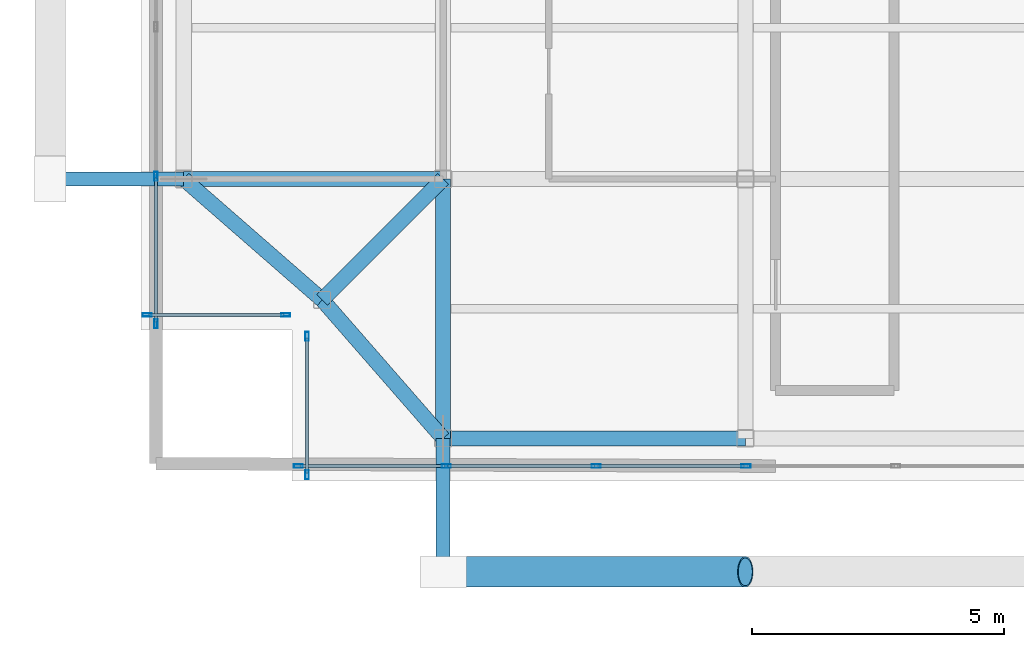
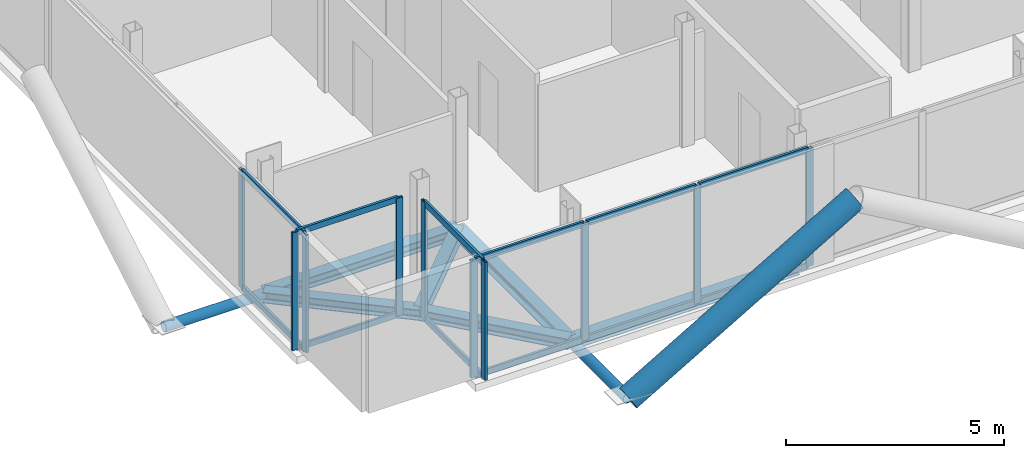
# One storey, part 2 of 19: 25 members, 6 beams, 4 elements without a shape of their own.
"""IFC4 building model written with IfcOpenShell, lengths in metres."""

from ifc_helpers import new_model, si_unit, direction, frame, origin, origin_2d, place, context, subcontext, project, spatial, hollow_rectangle, hollow_circle, i_section, extrude, material, layer, layer_set, material_profile, profile_set, type_object, element, aggregate, save


model = new_model("IFC4")

# Units and contexts
model_context = context("Model", 3, precision=1e-05, world=origin(), true_north=direction((0.0, 1.0)))
body_context = subcontext(model_context, "Body", "Model", "MODEL_VIEW")
ifc_project = project(units=[si_unit("LENGTHUNIT", "METRE"), si_unit("AREAUNIT", "SQUARE_METRE"), si_unit("VOLUMEUNIT", "CUBIC_METRE"), si_unit("PLANEANGLEUNIT", "RADIAN"), si_unit("MASSUNIT", "GRAM", prefix="KILO"), si_unit("THERMODYNAMICTEMPERATUREUNIT", "KELVIN"), si_unit("POWERUNIT", "WATT")], contexts=[model_context])

# Site, building, storey
site_placement = place(None, origin())
site = spatial("IfcSite", under=ifc_project, at=site_placement, CompositionType="ELEMENT")
building_placement = place(site_placement, origin())
building = spatial("IfcBuilding", under=site, at=building_placement, Name="Svarakhadi Broadcast Tower", CompositionType="ELEMENT")
storey_placement = place(building_placement, frame((0.0, 0.0, 243.199951171875)))
storey = spatial("IfcBuildingStorey", under=building, at=storey_placement, Name="L60", CompositionType="ELEMENT", Elevation=243.199951171875)

# Curtain wall, members
ifc_material_1 = material(Name="Anodised Bronze Aluminium AA 6063-T6", Category="aluminium")
ifc_layer = layer(ifc_material_1, 0.179931640625)
ifc_layer_set = layer_set([ifc_layer], Name="Anodised Bronze Aluminium AA 6063-T6")
curtain_wall_type = type_object("IfcCurtainWallType", Name="CW_Sys_05", PredefinedType="NOTDEFINED", material=ifc_layer_set)
curtain_wall_1_placement = place(storey_placement, origin())
curtain_wall_1 = element("IfcCurtainWall", 1, at=curtain_wall_1_placement, inside=storey, type_object=curtain_wall_type, Name="L60 Unitised Facade Curtain Wall 01", PredefinedType="NOTDEFINED")
ifc_material_profile_1 = material_profile(ifc_material_1, hollow_rectangle(XDim=0.070068359375, YDim=0.179931640625, WallThickness=0.005615234375, at=origin_2d()), Name="ALU MULLION 180x70x6")
ifc_profile_set_1 = profile_set([ifc_material_profile_1], Name="Anodised Bronze Aluminium AA 6063-T6")
member_type_1 = type_object("IfcMemberType", Name="CW_Sys_05_Mul", PredefinedType="MULLION", material=ifc_profile_set_1)
member_1_placement = place(storey_placement, frame((2.875, 3.300048828125, 0.0), z_axis=(0.0, 0.0, 1.0), x_axis=(0.0, -1.0, 0.0)))
member_1 = element("IfcMember", 2, at=member_1_placement, type_object=member_type_1, Name="CW-05 mullion 1", PredefinedType="MULLION", context=body_context, shape_type="SweptSolid", body=[
    extrude(hollow_rectangle(XDim=0.070068359375, YDim=0.179931640625, WallThickness=0.005615234375, at=origin_2d()), origin(), (0.0, 0.0, 1.0), 3.300048828125),
])
member_2_placement = place(storey_placement, frame((0.125, 3.300048828125, 0.0), z_axis=(0.0, 0.0, 1.0), x_axis=(0.0, -1.0, 0.0)))
member_2 = element("IfcMember", 3, at=member_2_placement, type_object=member_type_1, Name="CW-05 mullion 2", PredefinedType="MULLION", context=body_context, shape_type="SweptSolid", body=[
    extrude(hollow_rectangle(XDim=0.070068359375, YDim=0.179931640625, WallThickness=0.005615234375, at=origin_2d()), origin(), (0.0, 0.0, 1.0), 3.300048828125),
])

curtain_wall_2_placement = place(storey_placement, origin())
curtain_wall_2 = element("IfcCurtainWall", 4, at=curtain_wall_2_placement, inside=storey, type_object=curtain_wall_type, Name="L60 West Curtain Wall 02", PredefinedType="NOTDEFINED")
member_3_placement = place(storey_placement, frame((0.300048828125, 3.125, 0.0), z_axis=(0.0, 0.0, 1.0), x_axis=(-1.0, 0.0, 0.0)))
member_3 = element("IfcMember", 5, at=member_3_placement, type_object=member_type_1, Name="CW-05 mullion 1", PredefinedType="MULLION", context=body_context, shape_type="SweptSolid", body=[
    extrude(hollow_rectangle(XDim=0.070068359375, YDim=0.179931640625, WallThickness=0.005615234375, at=origin_2d()), origin(), (0.0, 0.0, 1.0), 3.300048828125),
])
member_4_placement = place(storey_placement, frame((0.300048828125, 6.053955078125, 0.0), z_axis=(0.0, 0.0, 1.0), x_axis=(-1.0, 0.0, 0.0)))
member_4 = element("IfcMember", 6, at=member_4_placement, type_object=member_type_1, Name="CW-05 mullion 2", PredefinedType="MULLION", context=body_context, shape_type="SweptSolid", body=[
    extrude(hollow_rectangle(XDim=0.070068359375, YDim=0.179931640625, WallThickness=0.005615234375, at=origin_2d()), origin(), (0.0, 0.0, 1.0), 3.300048828125),
])

curtain_wall_3_placement = place(storey_placement, origin())
curtain_wall_3 = element("IfcCurtainWall", 7, at=curtain_wall_3_placement, inside=storey, type_object=curtain_wall_type, Name="L60 South Curtain Wall 15", PredefinedType="NOTDEFINED")
member_5_placement = place(storey_placement, frame((12.012939453125, 0.300048828125, 0.0), z_axis=(0.0, 0.0, 1.0), x_axis=(0.0, -1.0, 0.0)))
member_5 = element("IfcMember", 8, at=member_5_placement, type_object=member_type_1, Name="CW-05 mullion 5", PredefinedType="MULLION", context=body_context, shape_type="SweptSolid", body=[
    extrude(hollow_rectangle(XDim=0.070068359375, YDim=0.179931640625, WallThickness=0.005615234375, at=origin_2d()), origin(), (0.0, 0.0, 1.0), 3.300048828125),
])
member_6_placement = place(storey_placement, frame((9.03857421875, 0.300048828125, 0.0), z_axis=(0.0, 0.0, 1.0), x_axis=(0.0, -1.0, 0.0)))
member_6 = element("IfcMember", 9, at=member_6_placement, type_object=member_type_1, Name="CW-05 mullion 6", PredefinedType="MULLION", context=body_context, shape_type="SweptSolid", body=[
    extrude(hollow_rectangle(XDim=0.070068359375, YDim=0.179931640625, WallThickness=0.005615234375, at=origin_2d()), origin(), (0.0, 0.0, 1.0), 3.300048828125),
])
member_7_placement = place(storey_placement, frame((6.064208984375, 0.300048828125, 0.0), z_axis=(0.0, 0.0, 1.0), x_axis=(0.0, -1.0, 0.0)))
member_7 = element("IfcMember", 10, at=member_7_placement, type_object=member_type_1, Name="CW-05 mullion 7", PredefinedType="MULLION", context=body_context, shape_type="SweptSolid", body=[
    extrude(hollow_rectangle(XDim=0.070068359375, YDim=0.179931640625, WallThickness=0.005615234375, at=origin_2d()), origin(), (0.0, 0.0, 1.0), 3.300048828125),
])
member_8_placement = place(storey_placement, frame((3.125, 0.300048828125, 0.0), z_axis=(0.0, 0.0, 1.0), x_axis=(0.0, -1.0, 0.0)))
member_8 = element("IfcMember", 11, at=member_8_placement, type_object=member_type_1, Name="CW-05 mullion 8", PredefinedType="MULLION", context=body_context, shape_type="SweptSolid", body=[
    extrude(hollow_rectangle(XDim=0.070068359375, YDim=0.179931640625, WallThickness=0.005615234375, at=origin_2d()), origin(), (0.0, 0.0, 1.0), 3.300048828125),
])

curtain_wall_4_placement = place(storey_placement, origin())
curtain_wall_4 = element("IfcCurtainWall", 12, at=curtain_wall_4_placement, inside=storey, type_object=curtain_wall_type, Name="L60 Unitised Facade Curtain Wall 16", PredefinedType="NOTDEFINED")
member_9_placement = place(storey_placement, frame((3.300048828125, 0.125, 0.0), z_axis=(0.0, 0.0, 1.0), x_axis=(-1.0, 0.0, 0.0)))
member_9 = element("IfcMember", 13, at=member_9_placement, type_object=member_type_1, Name="CW-05 mullion 1", PredefinedType="MULLION", context=body_context, shape_type="SweptSolid", body=[
    extrude(hollow_rectangle(XDim=0.070068359375, YDim=0.179931640625, WallThickness=0.005615234375, at=origin_2d()), origin(), (0.0, 0.0, 1.0), 3.300048828125),
])
member_10_placement = place(storey_placement, frame((3.300048828125, 2.875, 0.0), z_axis=(0.0, 0.0, 1.0), x_axis=(-1.0, 0.0, 0.0)))
member_10 = element("IfcMember", 14, at=member_10_placement, type_object=member_type_1, Name="CW-05 mullion 2", PredefinedType="MULLION", context=body_context, shape_type="SweptSolid", body=[
    extrude(hollow_rectangle(XDim=0.070068359375, YDim=0.179931640625, WallThickness=0.005615234375, at=origin_2d()), origin(), (0.0, 0.0, 1.0), 3.300048828125),
])

# Member
ifc_material_profile_2 = material_profile(ifc_material_1, hollow_rectangle(XDim=0.06494140625, YDim=0.1650390625, WallThickness=0.0048828125, at=origin_2d()), Name="ALU TRANSOM 165x65x5")
ifc_profile_set_2 = profile_set([ifc_material_profile_2], Name="Anodised Bronze Aluminium AA 6063-T6")
member_type_2 = type_object("IfcMemberType", Name="CW_Sys_05_Trn", PredefinedType="USERDEFINED", material=ifc_profile_set_2)
member_11_placement = place(storey_placement, frame((2.840087890625, 3.300048828125, 0.032470703125), z_axis=(-1.0, 0.0, 0.0), x_axis=(0.0, -1.0, 0.0)))
member_11 = element("IfcMember", 15, at=member_11_placement, type_object=member_type_2, Name="CW-05 transom 1.1", ObjectType="TRANSOM", PredefinedType="USERDEFINED", context=body_context, shape_type="SweptSolid", body=[
    extrude(hollow_rectangle(XDim=0.06494140625, YDim=0.1650390625, WallThickness=0.0048828125, at=origin_2d()), origin(), (0.0, 0.0, 1.0), 2.68017578125),
])

member_12_placement = place(storey_placement, frame((2.840087890625, 3.300048828125, 3.267578125), z_axis=(-1.0, 0.0, 0.0), x_axis=(0.0, -1.0, 0.0)))
member_12 = element("IfcMember", 16, at=member_12_placement, type_object=member_type_2, Name="CW-05 transom 1.2", ObjectType="TRANSOM", PredefinedType="USERDEFINED", context=body_context, shape_type="SweptSolid", body=[
    extrude(hollow_rectangle(XDim=0.06494140625, YDim=0.1650390625, WallThickness=0.0048828125, at=origin_2d()), origin(), (0.0, 0.0, 1.0), 2.68017578125),
])

aggregate(curtain_wall_1, [member_1, member_2, member_11, member_12])

member_13_placement = place(storey_placement, frame((0.300048828125, 3.159912109375, 0.032470703125), z_axis=(0.0, 1.0, 0.0), x_axis=(-1.0, 0.0, 0.0)))
member_13 = element("IfcMember", 17, at=member_13_placement, type_object=member_type_2, Name="CW-05 transom 1.1", ObjectType="TRANSOM", PredefinedType="USERDEFINED", context=body_context, shape_type="SweptSolid", body=[
    extrude(hollow_rectangle(XDim=0.06494140625, YDim=0.1650390625, WallThickness=0.0048828125, at=origin_2d()), origin(), (0.0, 0.0, 1.0), 2.859130859375),
])

member_14_placement = place(storey_placement, frame((0.300048828125, 3.159912109375, 3.267578125), z_axis=(0.0, 1.0, 0.0), x_axis=(-1.0, 0.0, 0.0)))
member_14 = element("IfcMember", 18, at=member_14_placement, type_object=member_type_2, Name="CW-05 transom 1.2", ObjectType="TRANSOM", PredefinedType="USERDEFINED", context=body_context, shape_type="SweptSolid", body=[
    extrude(hollow_rectangle(XDim=0.06494140625, YDim=0.1650390625, WallThickness=0.0048828125, at=origin_2d()), origin(), (0.0, 0.0, 1.0), 2.859130859375),
])

aggregate(curtain_wall_2, [member_3, member_4, member_13, member_14])

member_15_placement = place(storey_placement, frame((11.977783203125, 0.300048828125, 0.032470703125), z_axis=(-1.0, 0.0, 0.0), x_axis=(0.0, -1.0, 0.0)))
member_15 = element("IfcMember", 19, at=member_15_placement, type_object=member_type_2, Name="CW-05 transom 5.1", ObjectType="TRANSOM", PredefinedType="USERDEFINED", context=body_context, shape_type="SweptSolid", body=[
    extrude(hollow_rectangle(XDim=0.06494140625, YDim=0.1650390625, WallThickness=0.0048828125, at=origin_2d()), origin(), (0.0, 0.0, 1.0), 2.904296875),
])

member_16_placement = place(storey_placement, frame((11.977783203125, 0.300048828125, 3.267578125), z_axis=(-1.0, 0.0, 0.0), x_axis=(0.0, -1.0, 0.0)))
member_16 = element("IfcMember", 20, at=member_16_placement, type_object=member_type_2, Name="CW-05 transom 5.2", ObjectType="TRANSOM", PredefinedType="USERDEFINED", context=body_context, shape_type="SweptSolid", body=[
    extrude(hollow_rectangle(XDim=0.06494140625, YDim=0.1650390625, WallThickness=0.0048828125, at=origin_2d()), origin(), (0.0, 0.0, 1.0), 2.904296875),
])

member_17_placement = place(storey_placement, frame((9.003662109375, 0.300048828125, 0.032470703125), z_axis=(-1.0, 0.0, 0.0), x_axis=(0.0, -1.0, 0.0)))
member_17 = element("IfcMember", 21, at=member_17_placement, type_object=member_type_2, Name="CW-05 transom 6.1", ObjectType="TRANSOM", PredefinedType="USERDEFINED", context=body_context, shape_type="SweptSolid", body=[
    extrude(hollow_rectangle(XDim=0.06494140625, YDim=0.1650390625, WallThickness=0.0048828125, at=origin_2d()), origin(), (0.0, 0.0, 1.0), 2.904296875),
])

member_18_placement = place(storey_placement, frame((9.003662109375, 0.300048828125, 3.267578125), z_axis=(-1.0, 0.0, 0.0), x_axis=(0.0, -1.0, 0.0)))
member_18 = element("IfcMember", 22, at=member_18_placement, type_object=member_type_2, Name="CW-05 transom 6.2", ObjectType="TRANSOM", PredefinedType="USERDEFINED", context=body_context, shape_type="SweptSolid", body=[
    extrude(hollow_rectangle(XDim=0.06494140625, YDim=0.1650390625, WallThickness=0.0048828125, at=origin_2d()), origin(), (0.0, 0.0, 1.0), 2.904296875),
])

member_19_placement = place(storey_placement, frame((6.029296875, 0.300048828125, 0.032470703125), z_axis=(-1.0, 0.0, 0.0), x_axis=(0.0, -1.0, 0.0)))
member_19 = element("IfcMember", 23, at=member_19_placement, type_object=member_type_2, Name="CW-05 transom 7.1", ObjectType="TRANSOM", PredefinedType="USERDEFINED", context=body_context, shape_type="SweptSolid", body=[
    extrude(hollow_rectangle(XDim=0.06494140625, YDim=0.1650390625, WallThickness=0.0048828125, at=origin_2d()), origin(), (0.0, 0.0, 1.0), 2.869384765625),
])

member_20_placement = place(storey_placement, frame((6.029296875, 0.300048828125, 3.267578125), z_axis=(-1.0, 0.0, 0.0), x_axis=(0.0, -1.0, 0.0)))
member_20 = element("IfcMember", 24, at=member_20_placement, type_object=member_type_2, Name="CW-05 transom 7.2", ObjectType="TRANSOM", PredefinedType="USERDEFINED", context=body_context, shape_type="SweptSolid", body=[
    extrude(hollow_rectangle(XDim=0.06494140625, YDim=0.1650390625, WallThickness=0.0048828125, at=origin_2d()), origin(), (0.0, 0.0, 1.0), 2.869384765625),
])

aggregate(curtain_wall_3, [member_5, member_6, member_7, member_8, member_15, member_16, member_17, member_18, member_19, member_20])

member_21_placement = place(storey_placement, frame((3.300048828125, 0.159912109375, 0.032470703125), z_axis=(0.0, 1.0, 0.0), x_axis=(-1.0, 0.0, 0.0)))
member_21 = element("IfcMember", 25, at=member_21_placement, type_object=member_type_2, Name="CW-05 transom 1.1", ObjectType="TRANSOM", PredefinedType="USERDEFINED", context=body_context, shape_type="SweptSolid", body=[
    extrude(hollow_rectangle(XDim=0.06494140625, YDim=0.1650390625, WallThickness=0.0048828125, at=origin_2d()), origin(), (0.0, 0.0, 1.0), 2.68017578125),
])

member_22_placement = place(storey_placement, frame((3.300048828125, 0.159912109375, 3.267578125), z_axis=(0.0, 1.0, 0.0), x_axis=(-1.0, 0.0, 0.0)))
member_22 = element("IfcMember", 26, at=member_22_placement, type_object=member_type_2, Name="CW-05 transom 1.2", ObjectType="TRANSOM", PredefinedType="USERDEFINED", context=body_context, shape_type="SweptSolid", body=[
    extrude(hollow_rectangle(XDim=0.06494140625, YDim=0.1650390625, WallThickness=0.0048828125, at=origin_2d()), origin(), (0.0, 0.0, 1.0), 2.68017578125),
])

aggregate(curtain_wall_4, [member_9, member_10, member_21, member_22])

# Members
ifc_material_2 = material(Name="Steel S460ML (IS 2062 E450BR)", Category="steel")
ifc_material_profile_3 = material_profile(ifc_material_2, hollow_circle(Radius=0.304931640625, WallThickness=0.030029296875, at=origin_2d()), Name="CHS 610x30")
ifc_profile_set_3 = profile_set([ifc_material_profile_3], Name="Steel S460ML (IS 2062 E450BR)")
member_type_3 = type_object("IfcMemberType", Name="Exo_Brace_CHS610", PredefinedType="BRACE", material=ifc_profile_set_3)
member_23_placement = place(storey_placement, frame((6.0, -1.800048828125, -0.33642578125), z_axis=(0.863778900898, 0.0, 0.503871025524), x_axis=(0.0, 1.0, 0.0)))
element("IfcMember", 27, at=member_23_placement, inside=storey, type_object=member_type_3, Name="L60 Exposed Bronze Exoskeleton Diagonal S01", PredefinedType="BRACE", context=body_context, shape_type="SweptSolid", body=[
    extrude(hollow_circle(Radius=0.304931640625, WallThickness=0.030029296875, at=origin_2d()), origin(), (0.0, 0.0, 1.0), 6.9462890625),
])
ifc_material_profile_4 = material_profile(ifc_material_2, hollow_circle(Radius=0.136474609375, WallThickness=0.012451171875, at=origin_2d()), Name="CHS 273x12.5")
ifc_profile_set_4 = profile_set([ifc_material_profile_4], Name="Steel S460ML (IS 2062 E450BR)")
member_type_4 = type_object("IfcMemberType", Name="Exo_Radial_Strut_Z3", PredefinedType="STRUT", material=ifc_profile_set_4)
for number, where, z_axis, x_axis, name in (
    (28, (6.0, -1.800048828125, -0.33642578125), (0.0, 1.0, 0.0), (-1.0, 0.0, 0.0), "L60 Exoskeleton Radial Tie Strut S01"),
    (29, (-1.800048828125, 6.0, -0.33642578125), (1.0, 0.0, 0.0), (0.0, 1.0, 0.0), "L60 Exoskeleton Radial Tie Strut W04"),
):
    element("IfcMember", number, at=place(storey_placement, frame(where, z_axis=z_axis, x_axis=x_axis)), inside=storey, type_object=member_type_4, Name=name, PredefinedType="STRUT", context=body_context, shape_type="SweptSolid", body=[
        extrude(hollow_circle(Radius=0.136474609375, WallThickness=0.012451171875, at=origin_2d()), origin(), (0.0, 0.0, 1.0), 2.650146484375),
    ])

# Beams
ifc_material_3 = material(Name="Steel S355J2 (IS 2062 E350C)", Category="steel")
ifc_material_profile_5 = material_profile(ifc_material_3, i_section(OverallWidth=0.300048828125, OverallDepth=0.300048828125, WebThickness=0.010986328125, FlangeThickness=0.01904296875, FilletRadius=0.027099609375, at=origin_2d()), Name="WPB 300x300x117")
ifc_profile_set_5 = profile_set([ifc_material_profile_5], Name="Steel S355J2 (IS 2062 E350C)")
beam_type = type_object("IfcBeamType", Name="Girder_WPB300", PredefinedType="USERDEFINED", material=ifc_profile_set_5)
beam_1_placement = place(storey_placement, frame((3.60009765625, 3.60009765625, -0.349853515625), z_axis=(0.707106781187, 0.707106781187, 0.0), x_axis=(-0.707106781187, 0.707106781187, 0.0)))
element("IfcBeam", 30, at=beam_1_placement, inside=storey, type_object=beam_type, Name="L60 Corner Tie Girder G001", ObjectType="GIRDER", PredefinedType="USERDEFINED", context=body_context, shape_type="SweptSolid", body=[
    extrude(i_section(OverallWidth=0.300048828125, OverallDepth=0.300048828125, WebThickness=0.010986328125, FlangeThickness=0.01904296875, FilletRadius=0.027099609375, at=origin_2d()), origin(), (0.0, 0.0, 1.0), 3.39404296875),
])
for number, where, z_axis, x_axis, name in (
    (31, (3.60009765625, 3.60009765625, -0.349853515625), (-0.753437912176, 0.657519058655, 0.0), (-0.657519058655, -0.753437912176, 0.0), "L60 Corner Tie Girder G002"),
    (32, (3.60009765625, 3.60009765625, -0.349853515625), (0.657519058655, -0.753437912176, 0.0), (0.753437912176, 0.657519058655, 0.0), "L60 Corner Tie Girder G003"),
):
    element("IfcBeam", number, at=place(storey_placement, frame(where, z_axis=z_axis, x_axis=x_axis)), inside=storey, type_object=beam_type, Name=name, ObjectType="GIRDER", PredefinedType="USERDEFINED", context=body_context, shape_type="SweptSolid", body=[
        extrude(i_section(OverallWidth=0.300048828125, OverallDepth=0.300048828125, WebThickness=0.010986328125, FlangeThickness=0.01904296875, FilletRadius=0.027099609375, at=origin_2d()), origin(), (0.0, 0.0, 1.0), 3.64990234375),
    ])
beam_2_placement = place(storey_placement, frame((6.0, 0.85009765625, -0.349853515625), z_axis=(1.0, 0.0, 0.0), x_axis=(0.0, 1.0, 0.0)))
element("IfcBeam", 33, at=beam_2_placement, inside=storey, type_object=beam_type, Name="L60 Primary E-W Girder G004", ObjectType="GIRDER", PredefinedType="USERDEFINED", context=body_context, shape_type="SweptSolid", body=[
    extrude(i_section(OverallWidth=0.300048828125, OverallDepth=0.300048828125, WebThickness=0.010986328125, FlangeThickness=0.01904296875, FilletRadius=0.027099609375, at=origin_2d()), origin(), (0.0, 0.0, 1.0), 6.0),
])
for number, where, z_axis, x_axis, name in (
    (34, (0.85009765625, 6.0, -0.349853515625), (1.0, 0.0, 0.0), (0.0, 1.0, 0.0), "L60 Primary E-W Girder G008"),
    (35, (6.0, 0.85009765625, -0.349853515625), (0.0, 1.0, 0.0), (-1.0, 0.0, 0.0), "L60 Primary N-S Girder G029"),
):
    element("IfcBeam", number, at=place(storey_placement, frame(where, z_axis=z_axis, x_axis=x_axis)), inside=storey, type_object=beam_type, Name=name, ObjectType="GIRDER", PredefinedType="USERDEFINED", context=body_context, shape_type="SweptSolid", body=[
        extrude(i_section(OverallWidth=0.300048828125, OverallDepth=0.300048828125, WebThickness=0.010986328125, FlangeThickness=0.01904296875, FilletRadius=0.027099609375, at=origin_2d()), origin(), (0.0, 0.0, 1.0), 5.14990234375),
    ])

save(model, "model.ifc")
